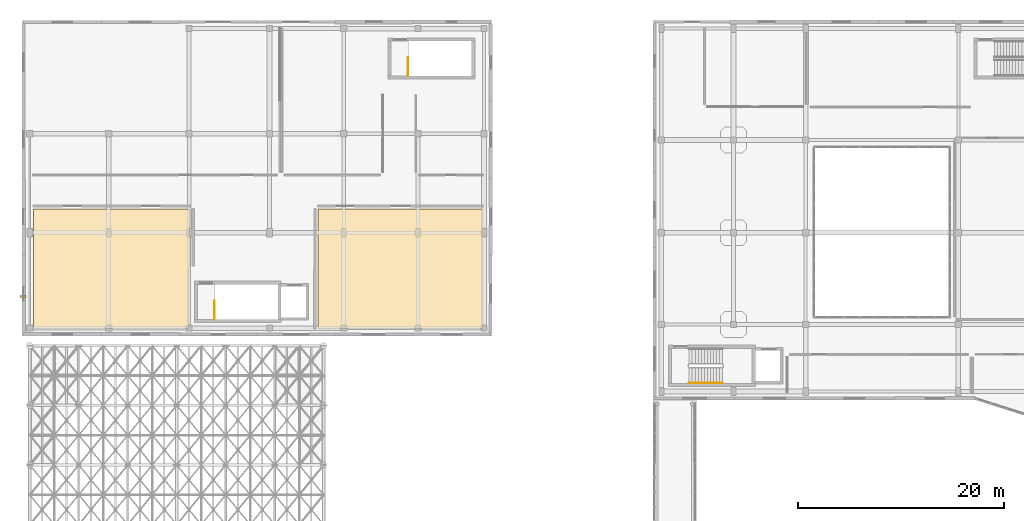
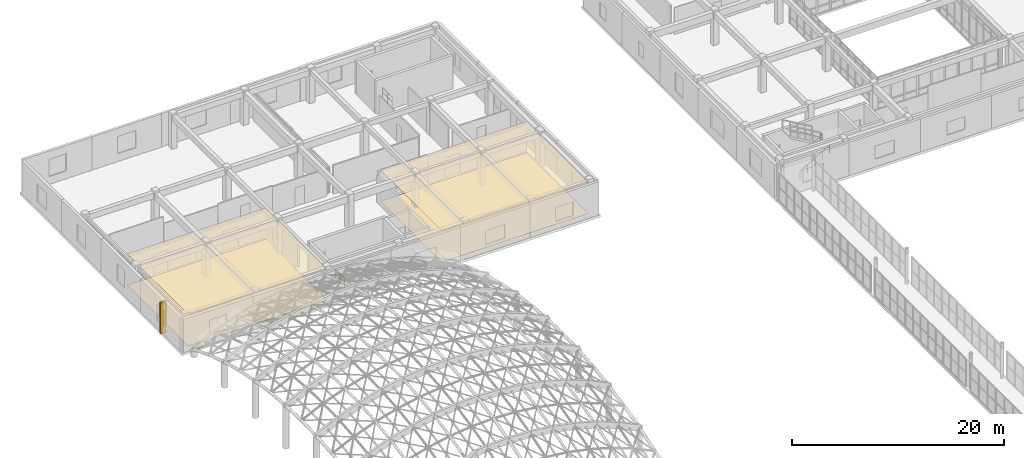
# One storey, part 144 of 146: 4 coverings, 3 railings, 1 shading device.
"""IFC4 building model written with IfcOpenShell, lengths in metres."""

from ifc_helpers import new_model, si_unit, direction, frame, origin, origin_2d, place, context, subcontext, project, spatial, polyline, rectangle, circle, outline, extrude, material, layer, layer_set, type_object, element, save


model = new_model("IFC4")

# Units and contexts
model_context = context("Model", 3, precision=1e-05, world=origin(), true_north=direction((0.0, 1.0)))
body_context = subcontext(model_context, "Body", "Model", "MODEL_VIEW")
ifc_project = project(units=[si_unit("LENGTHUNIT", "METRE"), si_unit("AREAUNIT", "SQUARE_METRE"), si_unit("VOLUMEUNIT", "CUBIC_METRE"), si_unit("PLANEANGLEUNIT", "RADIAN"), si_unit("MASSUNIT", "GRAM", prefix="KILO")], contexts=[model_context])

# Site, building, storey
site_placement = place(None, origin())
site = spatial("IfcSite", under=ifc_project, at=site_placement, CompositionType="ELEMENT")
building_placement = place(site_placement, origin())
building = spatial("IfcBuilding", under=site, at=building_placement, Name="Valcora Specialist Clinic", CompositionType="ELEMENT")
storey_placement = place(building_placement, frame((0.0, 0.0, 9.52001953125)))
storey = spatial("IfcBuildingStorey", under=building, at=storey_placement, Name="L02", CompositionType="ELEMENT", Elevation=9.52001953125)

# Coverings
ifc_material_1 = material(Name="Acoustic Mineral Ceiling Tile")
ifc_layer_1 = layer(ifc_material_1, 0.02001953125)
ifc_layer_set_1 = layer_set([ifc_layer_1], Name="Acoustic Mineral Ceiling Tile")
covering_type_1 = type_object("IfcCoveringType", Name="TY-CV-CLG020", PredefinedType="CEILING", material=ifc_layer_set_1)
covering_1_placement = place(storey_placement, frame((0.0, 0.0, 3.587890625)))
element("IfcCovering", 1, at=covering_1_placement, inside=storey, type_object=covering_type_1, Name="Acoustic ceiling tile 15", PredefinedType="CEILING", context=body_context, shape_type="SweptSolid", body=[
    extrude(outline(polyline([(1.10009765625, 92.5), (16.300048828125, 92.5), (16.300048828125, 87.0), (16.199951171875, 87.0), (16.199951171875, 80.89990234375), (1.10009765625, 80.89990234375), (1.10009765625, 92.5)])), origin(), (0.0, 0.0, 1.0), 0.02001953125),
])
covering_2_placement = place(storey_placement, frame((0.0, 0.0, 3.587890625)))
element("IfcCovering", 2, at=covering_2_placement, inside=storey, type_object=covering_type_1, Name="Acoustic ceiling tile 16", PredefinedType="CEILING", context=body_context, shape_type="SweptSolid", body=[
    extrude(outline(polyline([(44.699951171875, 92.5), (44.699951171875, 80.89990234375), (28.699951171875, 80.89990234375), (28.699951171875, 92.5), (44.699951171875, 92.5)])), origin(), (0.0, 0.0, 1.0), 0.02001953125),
])
ifc_material_2 = material(Name="Antimicrobial Vinyl Clinical Flooring")
ifc_layer_2 = layer(ifc_material_2, 0.008056640625)
ifc_layer_set_2 = layer_set([ifc_layer_2], Name="Antimicrobial Vinyl Clinical Flooring")
covering_type_2 = type_object("IfcCoveringType", Name="TY-CV-FLR008", PredefinedType="FLOORING", material=ifc_layer_set_2)
covering_3_placement = place(storey_placement, origin())
element("IfcCovering", 3, at=covering_3_placement, inside=storey, type_object=covering_type_2, Name="Antimicrobial clinical flooring 15", PredefinedType="FLOORING", context=body_context, shape_type="SweptSolid", body=[
    extrude(outline(polyline([(1.10009765625, 92.5), (16.300048828125, 92.5), (16.300048828125, 87.0), (16.199951171875, 87.0), (16.199951171875, 80.89990234375), (1.10009765625, 80.89990234375), (1.10009765625, 92.5)])), origin(), (0.0, 0.0, 1.0), 0.008056640625),
])
covering_4_placement = place(storey_placement, origin())
element("IfcCovering", 4, at=covering_4_placement, inside=storey, type_object=covering_type_2, Name="Antimicrobial clinical flooring 16", PredefinedType="FLOORING", context=body_context, shape_type="SweptSolid", body=[
    extrude(outline(polyline([(44.699951171875, 92.5), (44.699951171875, 80.89990234375), (28.699951171875, 80.89990234375), (28.699951171875, 92.5), (44.699951171875, 92.5)])), origin(), (0.0, 0.0, 1.0), 0.008056640625),
])

# Railings
ifc_material_3 = material(Name="Stainless Steel AISI 316", Category="steel")
railing_type_1 = type_object("IfcRailingType", Name="TY-RL-GRD112", PredefinedType="GUARDRAIL", material=ifc_material_3)
for number, where, name in (
    (5, (18.64990234375, 81.800048828125, 0.0), "L02 ST-V2A top well guard 1"),
    (6, (37.449951171875, 105.39990234375, 0.0), "L02 ST-V2B top well guard 1"),
):
    element("IfcRailing", number, at=place(storey_placement, frame(where)), inside=storey, type_object=railing_type_1, Name=name, PredefinedType="GUARDRAIL", context=body_context, shape_type="SweptSolid", body=[
        extrude(circle(Radius=0.02392578125, at=origin_2d()), frame((0.0, 0.0, 1.09619140625), z_axis=(0.0, 1.0, 0.0), x_axis=(-1.0, 0.0, 0.0)), (0.0, 0.0, 1.0), 1.800048828125),
        extrude(circle(Radius=0.02392578125, at=origin_2d()), frame((0.0, 0.0, 0.56005859375), z_axis=(0.0, 1.0, 0.0), x_axis=(-1.0, 0.0, 0.0)), (0.0, 0.0, 1.0), 1.800048828125),
        extrude(circle(Radius=0.02099609375, at=origin_2d()), origin(), (0.0, 0.0, 1.0), 1.072021484375),
        extrude(circle(Radius=0.02099609375, at=origin_2d()), frame((0.0, 0.89990234375, 0.0)), (0.0, 0.0, 1.0), 1.072021484375),
        extrude(circle(Radius=0.02099609375, at=origin_2d()), frame((0.0, 1.800048828125, 0.0)), (0.0, 0.0, 1.0), 1.072021484375),
    ])
railing_type_2 = type_object("IfcRailingType", Name="TY-RL-HND092", PredefinedType="HANDRAIL", material=ifc_material_3)
railing_placement = place(storey_placement, frame((64.699951171875, 75.64990234375, 0.169921875)))
element("IfcRailing", 7, at=railing_placement, inside=storey, type_object=railing_type_2, Name="L02 ST-V4A stair handrail 1", PredefinedType="HANDRAIL", context=body_context, shape_type="SweptSolid", body=[
    extrude(circle(Radius=0.02392578125, at=origin_2d()), frame((0.0, 0.0, 0.89599609375), z_axis=(0.866424229515, 0.0, 0.499308576443), x_axis=(0.0, 1.0, 0.0)), (0.0, 0.0, 1.0), 3.745361328125),
    extrude(circle(Radius=0.02099609375, at=origin_2d()), origin(), (0.0, 0.0, 1.0), 0.871826171875),
    extrude(circle(Radius=0.02099609375, at=origin_2d()), frame((0.811279296875, 0.0, 0.467529296875)), (0.0, 0.0, 1.0), 0.871826171875),
    extrude(circle(Radius=0.02099609375, at=origin_2d()), frame((1.62255859375, 0.0, 0.93505859375)), (0.0, 0.0, 1.0), 0.871826171875),
    extrude(circle(Radius=0.02099609375, at=origin_2d()), frame((2.433837890625, 0.0, 1.402587890625)), (0.0, 0.0, 1.0), 0.871826171875),
    extrude(circle(Radius=0.02099609375, at=origin_2d()), frame((3.2451171875, 0.0, 1.8701171875)), (0.0, 0.0, 1.0), 0.871826171875),
])

# Shading device
ifc_material_4 = material(Name="Extruded Jalisco Clay Brick Masonry", Category="masonry")
ifc_layer_3 = layer(ifc_material_4, 0.60009765625)
ifc_layer_set_3 = layer_set([ifc_layer_3], Name="Extruded Jalisco Clay Brick Masonry")
shading_device_type = type_object("IfcShadingDeviceType", Name="TY-SD-FIN060", PredefinedType="USERDEFINED", material=ifc_layer_set_3)
shading_device_placement = place(storey_placement, frame((0.10009765625, 84.0, 0.0), z_axis=(0.0, 0.0, 1.0), x_axis=(1.0, 0.0, 0.0)))
element("IfcShadingDevice", 8, at=shading_device_placement, inside=storey, type_object=shading_device_type, Name="Vertical brick solar fin 39", ObjectType="VERTICAL BRICK FIN", PredefinedType="USERDEFINED", context=body_context, shape_type="SweptSolid", body=[
    extrude(rectangle(XDim=0.60009765625, YDim=0.199951171875, at=origin_2d()), origin(), (0.0, 0.0, 1.0), 3.60009765625),
])

save(model, "model.ifc")
